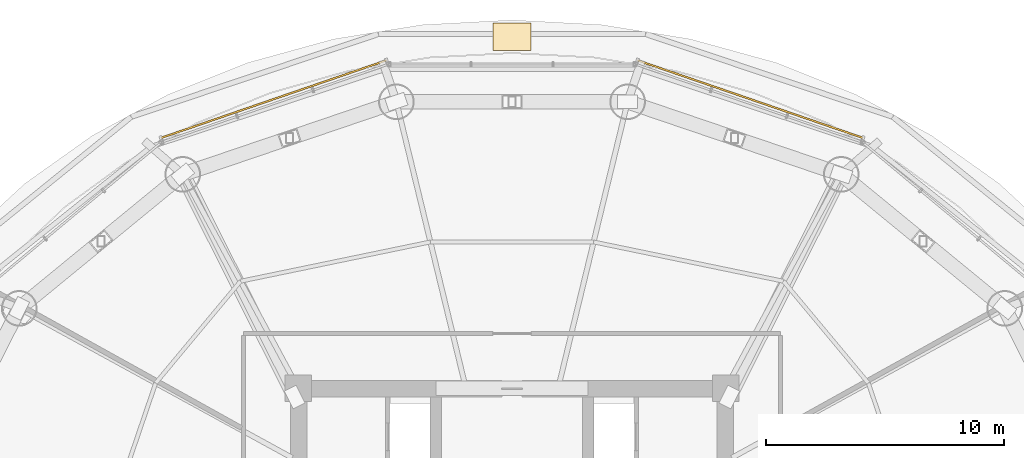
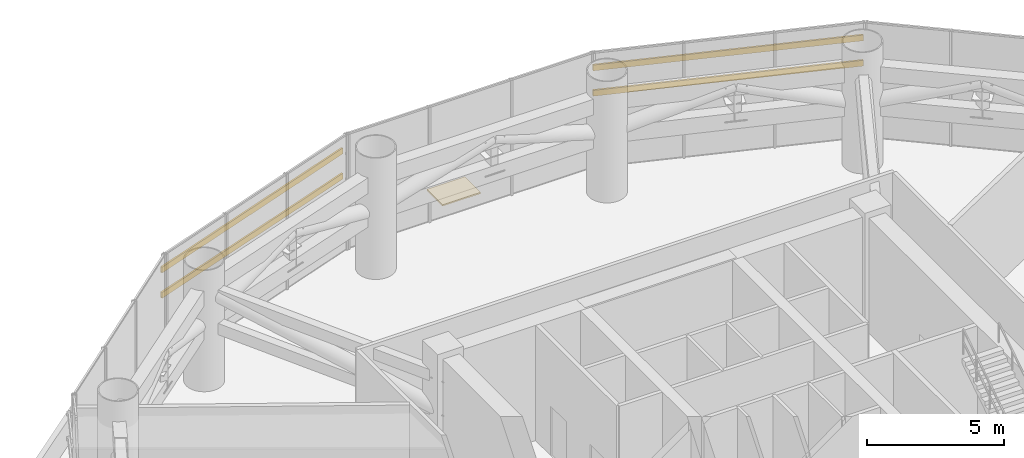
# One storey, part 33 of 33: 4 shading devices, 1 covering.
"""IFC4 building model written with IfcOpenShell, lengths in metres."""

from ifc_helpers import new_model, si_unit, direction, frame, origin, origin_2d, place, context, subcontext, project, spatial, rectangle, hollow_rectangle, extrude, source, transform, mapped, material, layer, layer_set, material_profile, profile_set, type_object, element, save


model = new_model("IFC4")

# Units and contexts
model_context = context("Model", 3, precision=1e-05, world=origin(), true_north=direction((-0.2419218956, 0.970295726276)))
body_context = subcontext(model_context, "Body", "Model", "MODEL_VIEW")
ifc_project = project(units=[si_unit("LENGTHUNIT", "METRE"), si_unit("AREAUNIT", "SQUARE_METRE"), si_unit("VOLUMEUNIT", "CUBIC_METRE"), si_unit("PLANEANGLEUNIT", "RADIAN"), si_unit("MASSUNIT", "GRAM", prefix="KILO")], contexts=[model_context])

# Site, building, storey
site_placement = place(None, origin())
site = spatial("IfcSite", under=ifc_project, at=site_placement, CompositionType="ELEMENT")
building_placement = place(site_placement, origin())
building = spatial("IfcBuilding", under=site, at=building_placement, Name="Cobrevalo Terracotta Tower", CompositionType="ELEMENT")
storey_placement = place(building_placement, frame((0.0, 0.0, 74.39990234375)))
storey = spatial("IfcBuildingStorey", under=building, at=storey_placement, Name="L19", CompositionType="ELEMENT", Elevation=74.39990234375)

# Shading devices
ifc_material_1 = material(Name="Anodized aluminium and terracotta", Category="masonry")
ifc_material_profile = material_profile(ifc_material_1, hollow_rectangle(XDim=0.074951171875, YDim=0.260009765625, WallThickness=0.006103515625, at=origin_2d()), Name="LOUVRE BLADE 75x260")
ifc_profile_set = profile_set([ifc_material_profile], Name="Anodized aluminium and terracotta")
shading_device_type = type_object("IfcShadingDeviceType", Name="Plant Acoustic Weather Louvre Blade 75x260", PredefinedType="USERDEFINED", material=ifc_profile_set)
shared_shape_1 = source(origin(), body_context, "Body", "SweptSolid", [
    extrude(hollow_rectangle(XDim=0.074951171875, YDim=0.260009765625, WallThickness=0.006103515625, at=origin_2d()), origin(), (0.0, 0.0, 1.0), 10.048828125),
])
for number, where, z_axis, x_axis, name in (
    (1, (52.7822265625, 45.333740234375, 3.177490234375), (-0.945597636732, 0.325338453624, 0.0), (-0.325338453624, -0.945597636732, 0.0), "CW-LV-L19-S03 horizontal terracotta louvre 1"),
    (2, (52.7822265625, 45.333740234375, 4.30517578125), (-0.945597636732, 0.325338453624, 0.0), (-0.325338453624, -0.945597636732, 0.0), "CW-LV-L19-S03 horizontal terracotta louvre 2"),
    (3, (32.719970703125, 48.60302734375, 3.177490234375), (-0.945597636732, -0.325338453624, 0.0), (0.325338453624, -0.945597636732, 0.0), "CW-LV-L19-S05 horizontal terracotta louvre 1"),
    (4, (32.719970703125, 48.60302734375, 4.30517578125), (-0.945597636732, -0.325338453624, 0.0), (0.325338453624, -0.945597636732, 0.0), "CW-LV-L19-S05 horizontal terracotta louvre 2"),
):
    element("IfcShadingDevice", number, at=place(storey_placement, frame(where, z_axis=z_axis, x_axis=x_axis)), inside=storey, type_object=shading_device_type, Name=name, ObjectType="LOUVRE", PredefinedType="USERDEFINED", context=body_context, shape_type="MappedRepresentation", body=[
        mapped(shared_shape_1, transform((0.0, 0.0, 0.0), scale=1.0)),
    ])

# Covering
ifc_material_2 = material(Name="Insulated TPO roof waterproofing membrane", Category="bitumen")
ifc_layer = layer(ifc_material_2, 0.06005859375)
ifc_layer_set = layer_set([ifc_layer], Name="Insulated TPO roof waterproofing membrane")
covering_type = type_object("IfcCoveringType", Name="Insulated UV-reflective waterproof roof membrane 60 mm", PredefinedType="ROOFING", material=ifc_layer_set)
shared_shape_2 = source(origin(), body_context, "Body", "SweptSolid", [
    extrude(rectangle(XDim=1.60009765625, YDim=1.14990234375, at=origin_2d()), origin(), (0.0, 0.0, 1.0), 0.06005859375),
])
covering_placement = place(storey_placement, frame((38.0, 49.60009765625, 0.0), z_axis=(0.0, 0.0, 1.0), x_axis=(1.0, 0.0, 0.0)))
element("IfcCovering", 5, at=covering_placement, inside=storey, type_object=covering_type, Name="L19 setback waterproof roof membrane", PredefinedType="ROOFING", context=body_context, shape_type="MappedRepresentation", body=[
    mapped(shared_shape_2, transform((0.0, 0.0, 0.0), scale=1.0)),
])

save(model, "model.ifc")
